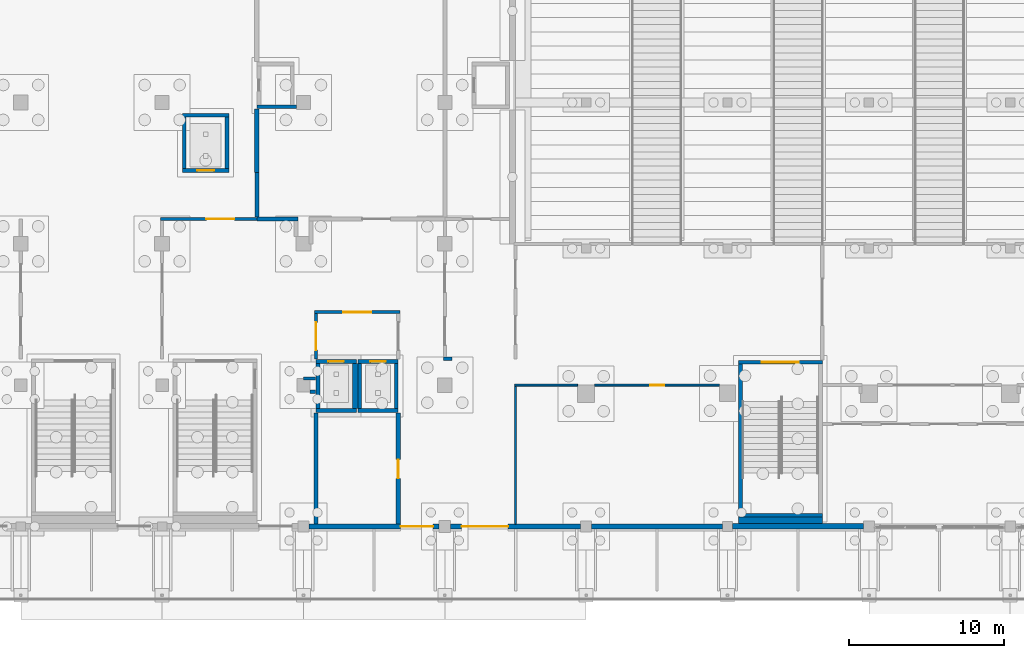
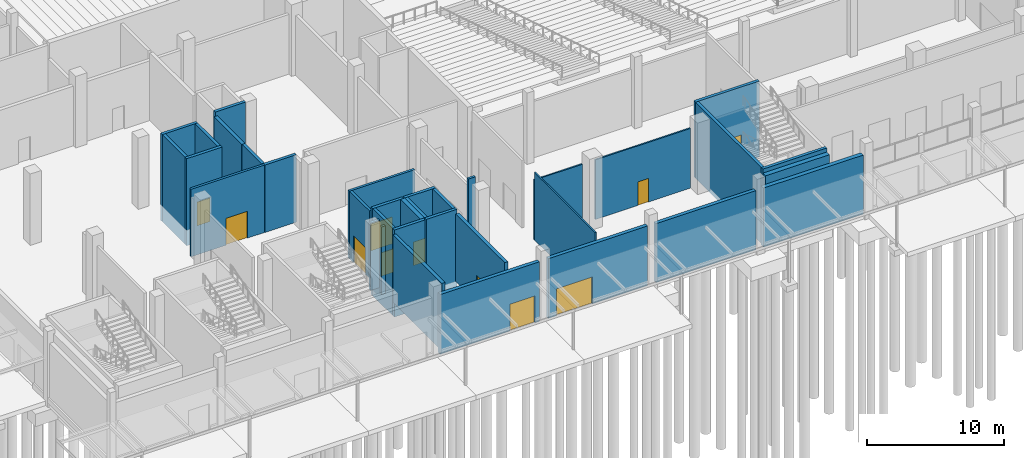
# One storey, part 68 of 129: 35 walls, 11 doors, 11 openings.
"""IFC4 building model written with IfcOpenShell, lengths in metres."""

from ifc_helpers import new_model, si_unit, direction, frame, frame_2d, origin, place, context, subcontext, project, spatial, rectangle, extrude, material, layer, layer_set, type_object, element, fill, save


model = new_model("IFC4")

# Units and contexts
model_context = context("Model", 3, precision=1e-05, world=origin(), true_north=direction((0.0, 1.0)))
body_context = subcontext(model_context, "Body", "Model", "MODEL_VIEW")
ifc_project = project(units=[si_unit("LENGTHUNIT", "METRE"), si_unit("AREAUNIT", "SQUARE_METRE"), si_unit("VOLUMEUNIT", "CUBIC_METRE"), si_unit("PLANEANGLEUNIT", "RADIAN"), si_unit("MASSUNIT", "GRAM", prefix="KILO")], contexts=[model_context])

# Site, building, storey
site_placement = place(None, origin())
site = spatial("IfcSite", under=ifc_project, at=site_placement, CompositionType="ELEMENT")
building_placement = place(site_placement, origin())
building = spatial("IfcBuilding", under=site, at=building_placement, Name="Shirokan Park Arena", CompositionType="ELEMENT")
storey_placement = place(building_placement, origin())
storey = spatial("IfcBuildingStorey", under=building, at=storey_placement, Name="L00", CompositionType="ELEMENT", Elevation=0.0)

# Wall, opening, door
ifc_material_1 = material(Name="Board-formed concrete C40/50", Category="concrete")
ifc_layer_1 = layer(ifc_material_1, 0.1201171875, Name="Board-formed concrete C40/50")
ifc_material_2 = material(Name="Mineral wool insulation")
ifc_layer_2 = layer(ifc_material_2, 0.10009765625, Name="Mineral wool insulation")
ifc_material_3 = material(Name="Concrete C35", Category="concrete")
ifc_layer_3 = layer(ifc_material_3, 0.080078125, Name="Concrete C35")
ifc_layer_set_1 = layer_set([ifc_layer_1, ifc_layer_2, ifc_layer_3], Name="Board-formed concrete C40/50 + Mineral wool insulation + Concrete C35")
wall_type_1 = type_object("IfcWallType", Name="Board-formed concrete base wall 300", PredefinedType="SOLIDWALL", material=ifc_layer_set_1)
wall_1_placement = place(storey_placement, frame((27.64990234375, 0.0, 0.0), z_axis=(0.0, 0.0, 1.0), x_axis=(1.0, 0.0, 0.0)))
wall_1 = element("IfcWall", 1, at=wall_1_placement, inside=storey, type_object=wall_type_1, Name="South facade wall bay 4 L00", PredefinedType="SOLIDWALL", context=body_context, shape_type="SweptSolid", body=[
    extrude(rectangle(XDim=8.375, YDim=0.300048828125, at=frame_2d((4.1875, 0.0))), origin(), (0.0, 0.0, 1.0), 5.320068359375),
])
opening_1_placement = place(wall_1_placement, frame((5.89990234375, 0.0, 0.0)))
opening_1 = element("IfcOpeningElement", 2, at=opening_1_placement, cuts=wall_1, Name="Opening G3", PredefinedType="OPENING", context=body_context, shape_type="SweptSolid", body=[
    extrude(rectangle(XDim=2.10009765625, YDim=2.39990234375, at=frame_2d((1.050048828125, 1.199951171875))), frame((0.0, 0.159912109375, 0.0), z_axis=(0.0, -1.0, 0.0), x_axis=(1.0, 0.0, 0.0)), (0.0, 0.0, 1.0), 0.320068359375),
])
ifc_material_4 = material(Name="Steel and glass door", Category="steel")
door_type_1 = type_object("IfcDoorType", Name="Exit door pair 2100x2400", OperationType="DOUBLE_DOOR_SINGLE_SWING", PredefinedType="DOOR", material=ifc_material_4)
door_1_placement = place(opening_1_placement, frame((2.10009765625, 0.0, 0.0), z_axis=(0.0, 0.0, 1.0), x_axis=(-1.0, 0.0, 0.0)))
door_1 = element("IfcDoor", 3, at=door_1_placement, inside=storey, type_object=door_type_1, Name="Pedestrian exit gate G3", OperationType="DOUBLE_DOOR_SINGLE_SWING", OverallHeight=2.39990234375, OverallWidth=2.10009765625, PredefinedType="DOOR", context=body_context, shape_type="SweptSolid", body=[
    extrude(rectangle(XDim=2.10009765625, YDim=2.39990234375, at=frame_2d((1.050048828125, 1.199951171875))), frame((0.0, 0.02490234375, 0.0), z_axis=(0.0, -1.0, 0.0), x_axis=(1.0, 0.0, 0.0)), (0.0, 0.0, 1.0), 0.050048828125),
])
fill(opening_1, door_1)

wall_2_placement = place(storey_placement, frame((36.77490234375, 0.0, 0.0), z_axis=(0.0, 0.0, 1.0), x_axis=(1.0, 0.0, 0.0)))
wall_2 = element("IfcWall", 4, at=wall_2_placement, inside=storey, type_object=wall_type_1, Name="South facade wall bay 5 L00", PredefinedType="SOLIDWALL", context=body_context, shape_type="SweptSolid", body=[
    extrude(rectangle(XDim=8.375, YDim=0.300048828125, at=frame_2d((4.1875, 0.0))), origin(), (0.0, 0.0, 1.0), 5.320068359375),
])
opening_2_placement = place(wall_2_placement, frame((0.699951171875, 0.0, 0.0)))
opening_2 = element("IfcOpeningElement", 5, at=opening_2_placement, cuts=wall_2, Name="Opening G4", PredefinedType="OPENING", context=body_context, shape_type="SweptSolid", body=[
    extrude(rectangle(XDim=3.0, YDim=2.39990234375, at=frame_2d((1.5, 1.199951171875))), frame((0.0, 0.159912109375, 0.0), z_axis=(0.0, -1.0, 0.0), x_axis=(1.0, 0.0, 0.0)), (0.0, 0.0, 1.0), 0.320068359375),
])
door_type_2 = type_object("IfcDoorType", Name="Exit door pair 3000x2400", OperationType="DOUBLE_DOOR_SINGLE_SWING", PredefinedType="DOOR", material=ifc_material_4)
door_2_placement = place(opening_2_placement, frame((3.0, 0.0, 0.0), z_axis=(0.0, 0.0, 1.0), x_axis=(-1.0, 0.0, 0.0)))
door_2 = element("IfcDoor", 6, at=door_2_placement, inside=storey, type_object=door_type_2, Name="Pedestrian exit gate G4", OperationType="DOUBLE_DOOR_SINGLE_SWING", OverallHeight=2.39990234375, OverallWidth=3.0, PredefinedType="DOOR", context=body_context, shape_type="SweptSolid", body=[
    extrude(rectangle(XDim=3.0, YDim=2.39990234375, at=frame_2d((1.5, 1.199951171875))), frame((0.0, 0.02490234375, 0.0), z_axis=(0.0, -1.0, 0.0), x_axis=(1.0, 0.0, 0.0)), (0.0, 0.0, 1.0), 0.050048828125),
])
fill(opening_2, door_2)

# Walls
wall_3_placement = place(storey_placement, frame((45.85009765625, 0.0, 0.0), z_axis=(0.0, 0.0, 1.0), x_axis=(1.0, 0.0, 0.0)))
element("IfcWall", 7, at=wall_3_placement, inside=storey, type_object=wall_type_1, Name="South facade wall bay 6 L00", PredefinedType="SOLIDWALL", context=body_context, shape_type="SweptSolid", body=[
    extrude(rectangle(XDim=8.4248046875, YDim=0.300048828125, at=frame_2d((4.21240234375, 0.0))), origin(), (0.0, 0.0, 1.0), 5.27001953125),
])
ifc_material_5 = material(Name="Plaster")
ifc_layer_4 = layer(ifc_material_5, 0.014892578125, Name="Plaster")
ifc_material_6 = material(Name="Concrete blockwork", Category="masonry")
ifc_layer_5 = layer(ifc_material_6, 0.219970703125, Name="Concrete blockwork 220")
ifc_layer_6 = layer(ifc_material_5, 0.014892578125, Name="Plaster")
ifc_layer_set_2 = layer_set([ifc_layer_4, ifc_layer_5, ifc_layer_6], Name="Plaster + Concrete blockwork 220")
wall_type_2 = type_object("IfcWallType", Name="Compartment wall 250", PredefinedType="SOLIDWALL", material=ifc_layer_set_2)
wall_4_placement = place(storey_placement, frame((24.300048828125, 19.800048828125, 0.0), z_axis=(0.0, 0.0, 1.0), x_axis=(1.0, 0.0, 0.0)))
element("IfcWall", 8, at=wall_4_placement, inside=storey, type_object=wall_type_2, Name="Compartment wall 250 L00", PredefinedType="SOLIDWALL", context=body_context, shape_type="SweptSolid", body=[
    extrude(rectangle(XDim=2.64990234375, YDim=0.25, at=frame_2d((1.324951171875, 0.0))), origin(), (0.0, 0.0, 1.0), 6.02001953125),
])
wall_5_placement = place(storey_placement, frame((24.300048828125, 22.800048828125, 0.0), z_axis=(0.0, 0.0, 1.0), x_axis=(0.0, -1.0, 0.0)))
element("IfcWall", 9, at=wall_5_placement, inside=storey, type_object=wall_type_2, Name="Compartment wall 250 L00", PredefinedType="SOLIDWALL", context=body_context, shape_type="SweptSolid", body=[
    extrude(rectangle(XDim=2.875, YDim=0.25, at=frame_2d((1.4375, 0.0))), origin(), (0.0, 0.0, 1.0), 6.02001953125),
])

# Wall, opening, door
ifc_material_7 = material(Name="Gypsum board")
ifc_layer_7 = layer(ifc_material_7, 0.02490234375, Name="Gypsum board, two layers")
ifc_layer_8 = layer(ifc_material_2, 0.14990234375, Name="Mineral wool insulation")
ifc_layer_9 = layer(ifc_material_7, 0.02490234375, Name="Gypsum board, two layers")
ifc_layer_set_3 = layer_set([ifc_layer_7, ifc_layer_8, ifc_layer_9], Name="Gypsum board, two layers + Mineral wool insulation")
wall_type_3 = type_object("IfcWallType", Name="Corridor wall 200", PredefinedType="PARTITIONING", material=ifc_layer_set_3)
wall_6_placement = place(storey_placement, frame((18.10009765625, 19.800048828125, 0.0), z_axis=(0.0, 0.0, 1.0), x_axis=(1.0, 0.0, 0.0)))
wall_6 = element("IfcWall", 10, at=wall_6_placement, inside=storey, type_object=wall_type_3, Name="Corridor wall 200 L00", PredefinedType="PARTITIONING", context=body_context, shape_type="SweptSolid", body=[
    extrude(rectangle(XDim=6.199951171875, YDim=0.199951171875, at=frame_2d((3.10009765625, 0.0))), origin(), (0.0, 0.0, 1.0), 6.02001953125),
])
opening_3_placement = place(wall_6_placement, frame((2.949951171875, 0.0, 0.0)))
opening_3 = element("IfcOpeningElement", 11, at=opening_3_placement, cuts=wall_6, Name="Opening D-0047", PredefinedType="OPENING", context=body_context, shape_type="SweptSolid", body=[
    extrude(rectangle(XDim=1.800048828125, YDim=2.39990234375, at=frame_2d((0.89990234375, 1.199951171875))), frame((0.0, 0.10986328125, 0.0), z_axis=(0.0, -1.0, 0.0), x_axis=(1.0, 0.0, 0.0)), (0.0, 0.0, 1.0), 0.219970703125),
])
ifc_material_8 = material(Name="Glazed steel door set, fire resisting", Category="steel")
door_type_3 = type_object("IfcDoorType", Name="Lift lobby door 1800 x 2400", OperationType="DOUBLE_DOOR_SINGLE_SWING", PredefinedType="DOOR", material=ifc_material_8)
door_3_placement = place(opening_3_placement, origin())
door_3 = element("IfcDoor", 12, at=door_3_placement, inside=storey, type_object=door_type_3, Name="Door between Staff Lobby 1.0.3 and Goods Lift Lobby 1 D-0047", OperationType="DOUBLE_DOOR_SINGLE_SWING", OverallHeight=2.39990234375, OverallWidth=1.800048828125, PredefinedType="DOOR", context=body_context, shape_type="SweptSolid", body=[
    extrude(rectangle(XDim=1.800048828125, YDim=2.39990234375, at=frame_2d((0.89990234375, 1.199951171875))), frame((0.0, 0.02490234375, 0.0), z_axis=(0.0, -1.0, 0.0), x_axis=(1.0, 0.0, 0.0)), (0.0, 0.0, 1.0), 0.050048828125),
])
fill(opening_3, door_3)

# Walls
wall_7_placement = place(storey_placement, frame((27.300048828125, 9.52490234375, 0.0), z_axis=(0.0, 0.0, 1.0), x_axis=(1.0, 0.0, 0.0)))
element("IfcWall", 13, at=wall_7_placement, inside=storey, type_object=wall_type_3, Name="Corridor wall 200 L00", PredefinedType="PARTITIONING", context=body_context, shape_type="SweptSolid", body=[
    extrude(rectangle(XDim=0.77001953125, YDim=0.199951171875, at=frame_2d((0.385009765625, 0.0))), origin(), (0.0, 0.0, 1.0), 6.02001953125),
])
wall_8_placement = place(storey_placement, frame((27.72509765625, 8.675048828125, 0.0), z_axis=(0.0, 0.0, 1.0), x_axis=(1.0, 0.0, 0.0)))
element("IfcWall", 14, at=wall_8_placement, inside=storey, type_object=wall_type_3, Name="Corridor wall 200 L00", PredefinedType="PARTITIONING", context=body_context, shape_type="SweptSolid", body=[
    extrude(rectangle(XDim=0.344970703125, YDim=0.199951171875, at=frame_2d((0.17236328125, 0.0))), origin(), (0.0, 0.0, 1.0), 6.02001953125),
])

# Wall, opening, door
wall_9_placement = place(storey_placement, frame((28.10009765625, 13.699951171875, 0.0), z_axis=(0.0, 0.0, 1.0), x_axis=(0.0, -1.0, 0.0)))
wall_9 = element("IfcWall", 15, at=wall_9_placement, inside=storey, type_object=wall_type_3, Name="Corridor wall 200 L00", PredefinedType="PARTITIONING", context=body_context, shape_type="SweptSolid", body=[
    extrude(rectangle(XDim=2.89990234375, YDim=0.199951171875, at=frame_2d((1.449951171875, 0.0))), origin(), (0.0, 0.0, 1.0), 6.02001953125),
])
opening_4_placement = place(wall_9_placement, frame((0.550048828125, 0.0, 0.0)))
opening_4 = element("IfcOpeningElement", 16, at=opening_4_placement, cuts=wall_9, Name="Opening D-0045", PredefinedType="OPENING", context=body_context, shape_type="SweptSolid", body=[
    extrude(rectangle(XDim=1.800048828125, YDim=2.39990234375, at=frame_2d((0.89990234375, 1.199951171875))), frame((0.0, 0.10986328125, 0.0), z_axis=(0.0, -1.0, 0.0), x_axis=(1.0, 0.0, 0.0)), (0.0, 0.0, 1.0), 0.219970703125),
])
door_4_placement = place(opening_4_placement, origin())
door_4 = element("IfcDoor", 17, at=door_4_placement, inside=storey, type_object=door_type_3, Name="Door between Staff Lobby 1.0.3 and Lift Lobby 1.0 D-0045", OperationType="DOUBLE_DOOR_SINGLE_SWING", OverallHeight=2.39990234375, OverallWidth=1.800048828125, PredefinedType="DOOR", context=body_context, shape_type="SweptSolid", body=[
    extrude(rectangle(XDim=1.800048828125, YDim=2.39990234375, at=frame_2d((0.89990234375, 1.199951171875))), frame((0.0, 0.02490234375, 0.0), z_axis=(0.0, -1.0, 0.0), x_axis=(1.0, 0.0, 0.0)), (0.0, 0.0, 1.0), 0.050048828125),
])
fill(opening_4, door_4)

wall_10_placement = place(storey_placement, frame((33.5, 13.800048828125, 0.0), z_axis=(0.0, 0.0, 1.0), x_axis=(-1.0, 0.0, 0.0)))
wall_10 = element("IfcWall", 18, at=wall_10_placement, inside=storey, type_object=wall_type_3, Name="Corridor wall 200 L00", PredefinedType="PARTITIONING", context=body_context, shape_type="SweptSolid", body=[
    extrude(rectangle(XDim=5.5, YDim=0.199951171875, at=frame_2d((2.75, 0.0))), origin(), (0.0, 0.0, 1.0), 6.02001953125),
])
opening_5_placement = place(wall_10_placement, frame((1.85009765625, 0.0, 0.0)))
opening_5 = element("IfcOpeningElement", 19, at=opening_5_placement, cuts=wall_10, Name="Opening D-0044", PredefinedType="OPENING", context=body_context, shape_type="SweptSolid", body=[
    extrude(rectangle(XDim=1.800048828125, YDim=2.39990234375, at=frame_2d((0.89990234375, 1.199951171875))), frame((0.0, 0.10986328125, 0.0), z_axis=(0.0, -1.0, 0.0), x_axis=(1.0, 0.0, 0.0)), (0.0, 0.0, 1.0), 0.219970703125),
])
door_5_placement = place(opening_5_placement, origin())
door_5 = element("IfcDoor", 20, at=door_5_placement, inside=storey, type_object=door_type_3, Name="Door between Staff Lobby 1.0.3 and Lift Lobby 1.0 D-0044", OperationType="DOUBLE_DOOR_SINGLE_SWING", OverallHeight=2.39990234375, OverallWidth=1.800048828125, PredefinedType="DOOR", context=body_context, shape_type="SweptSolid", body=[
    extrude(rectangle(XDim=1.800048828125, YDim=2.39990234375, at=frame_2d((0.89990234375, 1.199951171875))), frame((0.0, 0.02490234375, 0.0), z_axis=(0.0, -1.0, 0.0), x_axis=(1.0, 0.0, 0.0)), (0.0, 0.0, 1.0), 0.050048828125),
])
fill(opening_5, door_5)

# Walls
wall_11_placement = place(storey_placement, frame((36.300048828125, 10.800048828125, 0.0), z_axis=(0.0, 0.0, 1.0), x_axis=(1.0, 0.0, 0.0)))
element("IfcWall", 21, at=wall_11_placement, inside=storey, type_object=wall_type_3, Name="Corridor wall 200 L00", PredefinedType="PARTITIONING", context=body_context, shape_type="SweptSolid", body=[
    extrude(rectangle(XDim=0.574951171875, YDim=0.199951171875, at=frame_2d((0.28759765625, 0.0))), origin(), (0.0, 0.0, 1.0), 6.02001953125),
])
ifc_material_9 = material(Name="Concrete C30 precast panel", Category="concrete")
ifc_layer_10 = layer(ifc_material_9, 0.300048828125, Name="Concrete C30 precast panel")
ifc_layer_set_4 = layer_set([ifc_layer_10], Name="Concrete C30 precast panel")
wall_type_4 = type_object("IfcWallType", Name="Dock wall 300", PredefinedType="SOLIDWALL", material=ifc_layer_set_4)
wall_12_placement = place(storey_placement, frame((24.300048828125, 26.8701171875, 0.0), z_axis=(0.0, 0.0, 1.0), x_axis=(0.0, -1.0, 0.0)))
element("IfcWall", 22, at=wall_12_placement, inside=storey, type_object=wall_type_4, Name="Dock wall 300 L00", PredefinedType="SOLIDWALL", context=body_context, shape_type="SweptSolid", body=[
    extrude(rectangle(XDim=4.070068359375, YDim=0.300048828125, at=frame_2d((2.03515625, 0.0))), origin(), (0.0, 0.0, 1.0), 6.02001953125),
])
ifc_material_10 = material(Name="Cedar cladding")
ifc_layer_11 = layer(ifc_material_10, 0.030029296875, Name="Cedar cladding")
ifc_layer_12 = layer(ifc_material_2, 0.10009765625, Name="Mineral wool insulation")
ifc_layer_13 = layer(ifc_material_3, 0.199951171875, Name="Concrete C35")
ifc_material_11 = material(Name="Gypsum board lining")
ifc_layer_14 = layer(ifc_material_11, 0.02001953125, Name="Gypsum board lining")
ifc_layer_set_5 = layer_set([ifc_layer_11, ifc_layer_12, ifc_layer_13, ifc_layer_14], Name="Cedar cladding + Mineral wool insulation + Concrete C35 + Gypsum board lining")
wall_type_5 = type_object("IfcWallType", Name="Insulated tower wall 350", PredefinedType="SOLIDWALL", material=ifc_layer_set_5)
wall_13_placement = place(storey_placement, frame((54.925048828125, 0.02490234375, 0.0), z_axis=(0.0, 0.0, 1.0), x_axis=(1.0, 0.0, 0.0)))
element("IfcWall", 23, at=wall_13_placement, inside=storey, type_object=wall_type_5, Name="South facade wall bay 7 L00", PredefinedType="SOLIDWALL", context=body_context, shape_type="SweptSolid", body=[
    extrude(rectangle(XDim=8.425048828125, YDim=0.35009765625, at=frame_2d((4.21240234375, 0.0))), origin(), (0.0, 0.0, 1.0), 5.27001953125),
])
ifc_layer_15 = layer(ifc_material_5, 0.012451171875, Name="Plaster")
ifc_layer_16 = layer(ifc_material_6, 0.25, Name="Concrete blockwork 250")
ifc_layer_17 = layer(ifc_material_5, 0.012451171875, Name="Plaster")
ifc_layer_set_6 = layer_set([ifc_layer_15, ifc_layer_16, ifc_layer_17], Name="Plaster + Concrete blockwork 250")
wall_type_6 = type_object("IfcWallType", Name="Plant room wall 275", PredefinedType="SOLIDWALL", material=ifc_layer_set_6)
wall_14_placement = place(storey_placement, frame((28.10009765625, 0.14990234375, 0.0), z_axis=(0.0, 0.0, 1.0), x_axis=(0.0, 1.0, 0.0)))
element("IfcWall", 24, at=wall_14_placement, inside=storey, type_object=wall_type_6, Name="Plant room wall 275 L00", PredefinedType="SOLIDWALL", context=body_context, shape_type="SweptSolid", body=[
    extrude(rectangle(XDim=7.170166015625, YDim=0.27490234375, at=frame_2d((3.5849609375, 0.0))), origin(), (0.0, 0.0, 1.0), 6.02001953125),
])

# Wall, opening, door
wall_15_placement = place(storey_placement, frame((33.39990234375, 0.14990234375, 0.0), z_axis=(0.0, 0.0, 1.0), x_axis=(0.0, 1.0, 0.0)))
wall_15 = element("IfcWall", 25, at=wall_15_placement, inside=storey, type_object=wall_type_6, Name="Plant room wall 275 L00", PredefinedType="SOLIDWALL", context=body_context, shape_type="SweptSolid", body=[
    extrude(rectangle(XDim=7.170166015625, YDim=0.27490234375, at=frame_2d((3.5849609375, 0.0))), origin(), (0.0, 0.0, 1.0), 6.02001953125),
])
opening_6_placement = place(wall_15_placement, frame((2.949951171875, 0.0, 0.0)))
opening_6 = element("IfcOpeningElement", 26, at=opening_6_placement, cuts=wall_15, Name="Opening D-0003", PredefinedType="OPENING", context=body_context, shape_type="SweptSolid", body=[
    extrude(rectangle(XDim=1.199951171875, YDim=2.39990234375, at=frame_2d((0.60009765625, 1.199951171875))), frame((0.0, 0.1474609375, 0.0), z_axis=(0.0, -1.0, 0.0), x_axis=(1.0, 0.0, 0.0)), (0.0, 0.0, 1.0), 0.294921875),
])
ifc_material_12 = material(Name="Louvred steel door set, fire resisting", Category="steel")
door_type_4 = type_object("IfcDoorType", Name="Plant room door 1200 x 2400", OperationType="SINGLE_SWING_LEFT", PredefinedType="DOOR", material=ifc_material_12)
door_6_placement = place(opening_6_placement, origin())
door_6 = element("IfcDoor", 27, at=door_6_placement, inside=storey, type_object=door_type_4, Name="Door to Lift Machine Room 1.0 D-0003", OperationType="SINGLE_SWING_RIGHT", OverallHeight=2.39990234375, OverallWidth=1.199951171875, PredefinedType="DOOR", context=body_context, shape_type="SweptSolid", body=[
    extrude(rectangle(XDim=1.199951171875, YDim=2.39990234375, at=frame_2d((0.60009765625, 1.199951171875))), frame((0.0, 0.02490234375, 0.0), z_axis=(0.0, -1.0, 0.0), x_axis=(1.0, 0.0, 0.0)), (0.0, 0.0, 1.0), 0.050048828125),
])
fill(opening_6, door_6)

# Wall
ifc_material_13 = material(Name="Concrete C40/50", Category="concrete")
ifc_layer_18 = layer(ifc_material_13, 0.25)
ifc_layer_set_7 = layer_set([ifc_layer_18], Name="Concrete C40/50 250 mm")
wall_type_7 = type_object("IfcWallType", Name="RC shear wall 250", PredefinedType="SHEAR", material=ifc_layer_set_7)
wall_16_placement = place(storey_placement, frame((30.699951171875, 7.47509765625, -1.39990234375), z_axis=(0.0, 0.0, 1.0), x_axis=(-1.0, 0.0, 0.0)))
element("IfcWall", 28, at=wall_16_placement, inside=storey, type_object=wall_type_7, Name="Shaft wall Passenger Lift 1.1 S L00", PredefinedType="SHEAR", context=body_context, shape_type="SweptSolid", body=[
    extrude(rectangle(XDim=2.599853515625, YDim=0.25, at=frame_2d((1.2998046875, 0.0))), origin(), (0.0, 0.0, 1.0), 7.77001953125),
])

# Wall, opening, door
wall_17_placement = place(storey_placement, frame((30.699951171875, 10.625, -1.39990234375), z_axis=(0.0, 0.0, 1.0), x_axis=(-1.0, 0.0, 0.0)))
wall_17 = element("IfcWall", 29, at=wall_17_placement, inside=storey, type_object=wall_type_7, Name="Shaft wall Passenger Lift 1.1 N L00", PredefinedType="SHEAR", context=body_context, shape_type="SweptSolid", body=[
    extrude(rectangle(XDim=2.599853515625, YDim=0.25, at=frame_2d((1.2998046875, 0.0))), origin(), (0.0, 0.0, 1.0), 7.77001953125),
])
opening_7_placement = place(wall_17_placement, frame((0.800048828125, 0.0, 1.39990234375)))
opening_7 = element("IfcOpeningElement", 30, at=opening_7_placement, cuts=wall_17, Name="Opening LD01", PredefinedType="OPENING", context=body_context, shape_type="SweptSolid", body=[
    extrude(rectangle(XDim=1.0, YDim=2.10009765625, at=frame_2d((0.5, 1.050048828125))), frame((0.0, 0.135009765625, 0.0), z_axis=(0.0, -1.0, 0.0), x_axis=(1.0, 0.0, 0.0)), (0.0, 0.0, 1.0), 0.27001953125),
])
ifc_material_14 = material(Name="Stainless steel", Category="steel")
door_type_5 = type_object("IfcDoorType", Name="Lift landing door 1000x2100", OperationType="DOUBLE_DOOR_SLIDING", PredefinedType="DOOR", material=ifc_material_14)
door_7_placement = place(opening_7_placement, origin())
door_7 = element("IfcDoor", 31, at=door_7_placement, inside=storey, type_object=door_type_5, Name="Lift landing door Passenger Lift 1.1 L00", OperationType="DOUBLE_DOOR_SLIDING", OverallHeight=2.10009765625, OverallWidth=1.0, PredefinedType="DOOR", context=body_context, shape_type="SweptSolid", body=[
    extrude(rectangle(XDim=1.0, YDim=2.10009765625, at=frame_2d((0.5, 1.050048828125))), frame((0.0, 0.02490234375, 0.0), z_axis=(0.0, -1.0, 0.0), x_axis=(1.0, 0.0, 0.0)), (0.0, 0.0, 1.0), 0.050048828125),
])
fill(opening_7, door_7)

# Walls
wall_18_placement = place(storey_placement, frame((28.22509765625, 10.5, -1.39990234375), z_axis=(0.0, 0.0, 1.0), x_axis=(0.0, -1.0, 0.0)))
element("IfcWall", 32, at=wall_18_placement, inside=storey, type_object=wall_type_7, Name="Shaft wall Passenger Lift 1.1 W L00", PredefinedType="SHEAR", context=body_context, shape_type="SweptSolid", body=[
    extrude(rectangle(XDim=2.89990234375, YDim=0.25, at=frame_2d((1.449951171875, 0.0))), origin(), (0.0, 0.0, 1.0), 7.77001953125),
])
wall_19_placement = place(storey_placement, frame((33.39990234375, 7.47509765625, -1.39990234375), z_axis=(0.0, 0.0, 1.0), x_axis=(-1.0, 0.0, 0.0)))
element("IfcWall", 33, at=wall_19_placement, inside=storey, type_object=wall_type_7, Name="Shaft wall Passenger Lift 1.2 S L00", PredefinedType="SHEAR", context=body_context, shape_type="SweptSolid", body=[
    extrude(rectangle(XDim=2.599853515625, YDim=0.25, at=frame_2d((1.2998046875, 0.0))), origin(), (0.0, 0.0, 1.0), 7.77001953125),
])

# Wall, opening, door
wall_20_placement = place(storey_placement, frame((33.39990234375, 10.625, -1.39990234375), z_axis=(0.0, 0.0, 1.0), x_axis=(-1.0, 0.0, 0.0)))
wall_20 = element("IfcWall", 34, at=wall_20_placement, inside=storey, type_object=wall_type_7, Name="Shaft wall Passenger Lift 1.2 N L00", PredefinedType="SHEAR", context=body_context, shape_type="SweptSolid", body=[
    extrude(rectangle(XDim=2.599853515625, YDim=0.25, at=frame_2d((1.2998046875, 0.0))), origin(), (0.0, 0.0, 1.0), 7.77001953125),
])
opening_8_placement = place(wall_20_placement, frame((0.800048828125, 0.0, 1.39990234375)))
opening_8 = element("IfcOpeningElement", 35, at=opening_8_placement, cuts=wall_20, Name="Opening LD07", PredefinedType="OPENING", context=body_context, shape_type="SweptSolid", body=[
    extrude(rectangle(XDim=1.0, YDim=2.10009765625, at=frame_2d((0.5, 1.050048828125))), frame((0.0, 0.135009765625, 0.0), z_axis=(0.0, -1.0, 0.0), x_axis=(1.0, 0.0, 0.0)), (0.0, 0.0, 1.0), 0.27001953125),
])
door_8_placement = place(opening_8_placement, origin())
door_8 = element("IfcDoor", 36, at=door_8_placement, inside=storey, type_object=door_type_5, Name="Lift landing door Passenger Lift 1.2 L00", OperationType="DOUBLE_DOOR_SLIDING", OverallHeight=2.10009765625, OverallWidth=1.0, PredefinedType="DOOR", context=body_context, shape_type="SweptSolid", body=[
    extrude(rectangle(XDim=1.0, YDim=2.10009765625, at=frame_2d((0.5, 1.050048828125))), frame((0.0, 0.02490234375, 0.0), z_axis=(0.0, -1.0, 0.0), x_axis=(1.0, 0.0, 0.0)), (0.0, 0.0, 1.0), 0.050048828125),
])
fill(opening_8, door_8)

# Walls
for number, where, z_axis, x_axis, name in (
    (37, (30.925048828125, 10.5, -1.39990234375), (0.0, 0.0, 1.0), (0.0, -1.0, 0.0), "Shaft wall Passenger Lift 1.2 W L00"),
    (38, (33.27490234375, 10.5, -1.39990234375), (0.0, 0.0, 1.0), (0.0, -1.0, 0.0), "Shaft wall Passenger Lift 1.2 E L00"),
):
    element("IfcWall", number, at=place(storey_placement, frame(where, z_axis=z_axis, x_axis=x_axis)), inside=storey, type_object=wall_type_7, Name=name, PredefinedType="SHEAR", context=body_context, shape_type="SweptSolid", body=[
        extrude(rectangle(XDim=2.89990234375, YDim=0.25, at=frame_2d((1.449951171875, 0.0))), origin(), (0.0, 0.0, 1.0), 7.77001953125),
    ])
wall_21_placement = place(storey_placement, frame((26.85009765625, 27.02490234375, -0.39990234375), z_axis=(0.0, 0.0, 1.0), x_axis=(-1.0, 0.0, 0.0)))
element("IfcWall", 39, at=wall_21_placement, inside=storey, type_object=wall_type_7, Name="Shaft wall Services Riser 1.2 S L00", PredefinedType="SHEAR", context=body_context, shape_type="SweptSolid", body=[
    extrude(rectangle(XDim=2.550048828125, YDim=0.25, at=frame_2d((1.27490234375, 0.0))), origin(), (0.0, 0.0, 1.0), 6.77001953125),
])

# Wall, opening, door
wall_22_placement = place(storey_placement, frame((22.5, 22.925048828125, -1.39990234375), z_axis=(0.0, 0.0, 1.0), x_axis=(-1.0, 0.0, 0.0)))
wall_22 = element("IfcWall", 40, at=wall_22_placement, inside=storey, type_object=wall_type_7, Name="Shaft wall Service Lift 1 S L00", PredefinedType="SHEAR", context=body_context, shape_type="SweptSolid", body=[
    extrude(rectangle(XDim=3.0, YDim=0.25, at=frame_2d((1.5, 0.0))), origin(), (0.0, 0.0, 1.0), 7.77001953125),
])
opening_9_placement = place(wall_22_placement, frame((0.949951171875, 0.0, 1.39990234375)))
opening_9 = element("IfcOpeningElement", 41, at=opening_9_placement, cuts=wall_22, Name="Opening LD49", PredefinedType="OPENING", context=body_context, shape_type="SweptSolid", body=[
    extrude(rectangle(XDim=1.10009765625, YDim=2.10009765625, at=frame_2d((0.550048828125, 1.050048828125))), frame((0.0, 0.135009765625, 0.0), z_axis=(0.0, -1.0, 0.0), x_axis=(1.0, 0.0, 0.0)), (0.0, 0.0, 1.0), 0.27001953125),
])
door_type_6 = type_object("IfcDoorType", Name="Lift landing door 1100x2100", OperationType="DOUBLE_DOOR_SLIDING", PredefinedType="DOOR", material=ifc_material_14)
door_9_placement = place(opening_9_placement, origin())
door_9 = element("IfcDoor", 42, at=door_9_placement, inside=storey, type_object=door_type_6, Name="Lift landing door Service Lift 1 L00", OperationType="DOUBLE_DOOR_SLIDING", OverallHeight=2.10009765625, OverallWidth=1.10009765625, PredefinedType="DOOR", context=body_context, shape_type="SweptSolid", body=[
    extrude(rectangle(XDim=1.10009765625, YDim=2.10009765625, at=frame_2d((0.550048828125, 1.050048828125))), frame((0.0, 0.02490234375, 0.0), z_axis=(0.0, -1.0, 0.0), x_axis=(1.0, 0.0, 0.0)), (0.0, 0.0, 1.0), 0.050048828125),
])
fill(opening_9, door_9)

# Walls
wall_23_placement = place(storey_placement, frame((22.5, 26.47509765625, -1.39990234375), z_axis=(0.0, 0.0, 1.0), x_axis=(-1.0, 0.0, 0.0)))
element("IfcWall", 43, at=wall_23_placement, inside=storey, type_object=wall_type_7, Name="Shaft wall Service Lift 1 N L00", PredefinedType="SHEAR", context=body_context, shape_type="SweptSolid", body=[
    extrude(rectangle(XDim=3.0, YDim=0.25, at=frame_2d((1.5, 0.0))), origin(), (0.0, 0.0, 1.0), 7.77001953125),
])
for number, where, z_axis, x_axis, name in (
    (44, (19.625, 26.35009765625, -1.39990234375), (0.0, 0.0, 1.0), (0.0, -1.0, 0.0), "Shaft wall Service Lift 1 W L00"),
    (45, (22.375, 26.35009765625, -1.39990234375), (0.0, 0.0, 1.0), (0.0, -1.0, 0.0), "Shaft wall Service Lift 1 E L00"),
):
    element("IfcWall", number, at=place(storey_placement, frame(where, z_axis=z_axis, x_axis=x_axis)), inside=storey, type_object=wall_type_7, Name=name, PredefinedType="SHEAR", context=body_context, shape_type="SweptSolid", body=[
        extrude(rectangle(XDim=3.300048828125, YDim=0.25, at=frame_2d((1.64990234375, 0.0))), origin(), (0.0, 0.0, 1.0), 7.77001953125),
    ])
wall_24_placement = place(storey_placement, frame((60.699951171875, 0.72509765625, -0.39990234375), z_axis=(0.0, 0.0, 1.0), x_axis=(-1.0, 0.0, 0.0)))
element("IfcWall", 46, at=wall_24_placement, inside=storey, type_object=wall_type_7, Name="Shaft wall Entrance Stair E1.1 S L00", PredefinedType="SHEAR", context=body_context, shape_type="SweptSolid", body=[
    extrude(rectangle(XDim=5.39990234375, YDim=0.25, at=frame_2d((2.699951171875, 0.0))), origin(), (0.0, 0.0, 1.0), 6.77001953125),
])

# Wall, opening, door
wall_25_placement = place(storey_placement, frame((60.699951171875, 10.574951171875, -0.39990234375), z_axis=(0.0, 0.0, 1.0), x_axis=(-1.0, 0.0, 0.0)))
wall_25 = element("IfcWall", 47, at=wall_25_placement, inside=storey, type_object=wall_type_7, Name="Shaft wall Entrance Stair E1.1 N L00", PredefinedType="SHEAR", context=body_context, shape_type="SweptSolid", body=[
    extrude(rectangle(XDim=5.39990234375, YDim=0.25, at=frame_2d((2.699951171875, 0.0))), origin(), (0.0, 0.0, 1.0), 6.77001953125),
])
opening_10_placement = place(wall_25_placement, frame((1.5, 0.0, 0.39990234375)))
opening_10 = element("IfcOpeningElement", 48, at=opening_10_placement, cuts=wall_25, Name="Opening D-0196", PredefinedType="OPENING", context=body_context, shape_type="SweptSolid", body=[
    extrude(rectangle(XDim=2.39990234375, YDim=2.10009765625, at=frame_2d((1.199951171875, 1.050048828125))), frame((0.0, 0.135009765625, 0.0), z_axis=(0.0, -1.0, 0.0), x_axis=(1.0, 0.0, 0.0)), (0.0, 0.0, 1.0), 0.27001953125),
])
ifc_material_15 = material(Name="Steel door set, fire resisting", Category="steel")
door_type_7 = type_object("IfcDoorType", Name="Stair door 2400 x 2100", OperationType="DOUBLE_DOOR_SINGLE_SWING", PredefinedType="DOOR", material=ifc_material_15)
door_10_placement = place(opening_10_placement, origin())
door_10 = element("IfcDoor", 49, at=door_10_placement, inside=storey, type_object=door_type_7, Name="Stair door Entrance Stair E1.1 D-0196", OperationType="DOUBLE_DOOR_SINGLE_SWING", OverallHeight=2.10009765625, OverallWidth=2.39990234375, PredefinedType="DOOR", context=body_context, shape_type="SweptSolid", body=[
    extrude(rectangle(XDim=2.39990234375, YDim=2.10009765625, at=frame_2d((1.199951171875, 1.050048828125))), frame((0.0, 0.02490234375, 0.0), z_axis=(0.0, -1.0, 0.0), x_axis=(1.0, 0.0, 0.0)), (0.0, 0.0, 1.0), 0.050048828125),
])
fill(opening_10, door_10)

# Walls
wall_26_placement = place(storey_placement, frame((55.425048828125, 10.449951171875, -0.39990234375), z_axis=(0.0, 0.0, 1.0), x_axis=(0.0, -1.0, 0.0)))
element("IfcWall", 50, at=wall_26_placement, inside=storey, type_object=wall_type_7, Name="Shaft wall Entrance Stair E1.1 W L00", PredefinedType="SHEAR", context=body_context, shape_type="SweptSolid", body=[
    extrude(rectangle(XDim=9.599853515625, YDim=0.25, at=frame_2d((4.7998046875, 0.0))), origin(), (0.0, 0.0, 1.0), 6.77001953125),
])
ifc_layer_19 = layer(ifc_material_13, 0.35009765625)
ifc_layer_set_8 = layer_set([ifc_layer_19], Name="Concrete C40/50 350 mm")
wall_type_8 = type_object("IfcWallType", Name="RC shear wall 350", PredefinedType="SHEAR", material=ifc_layer_set_8)
wall_27_placement = place(storey_placement, frame((30.625, 10.5, -1.39990234375), z_axis=(0.0, 0.0, 1.0), x_axis=(0.0, -1.0, 0.0)))
element("IfcWall", 51, at=wall_27_placement, inside=storey, type_object=wall_type_8, Name="Shaft wall Passenger Lift 1.1 E L00", PredefinedType="SHEAR", context=body_context, shape_type="SweptSolid", body=[
    extrude(rectangle(XDim=2.89990234375, YDim=0.35009765625, at=frame_2d((1.449951171875, 0.0))), origin(), (0.0, 0.0, 1.0), 7.77001953125),
])
ifc_layer_20 = layer(ifc_material_3, 0.39990234375)
ifc_layer_set_9 = layer_set([ifc_layer_20], Name="Concrete C35 400 mm")
wall_type_9 = type_object("IfcWallType", Name="Shaft infill wall 400", PredefinedType="SOLIDWALL", material=ifc_layer_set_9)
wall_28_placement = place(storey_placement, frame((55.300048828125, 0.39990234375, 0.0), z_axis=(0.0, 0.0, 1.0), x_axis=(1.0, 0.0, 0.0)))
element("IfcWall", 52, at=wall_28_placement, inside=storey, type_object=wall_type_9, Name="Shaft infill wall L00", PredefinedType="SOLIDWALL", context=body_context, shape_type="SweptSolid", body=[
    extrude(rectangle(XDim=5.39990234375, YDim=0.39990234375, at=frame_2d((2.699951171875, 0.0))), origin(), (0.0, 0.0, 1.0), 6.02001953125),
])
ifc_material_16 = material(Name="Ceramic tile")
ifc_layer_21 = layer(ifc_material_16, 0.010009765625, Name="Ceramic tile")
ifc_material_17 = material(Name="Cement board")
ifc_layer_22 = layer(ifc_material_17, 0.012451171875, Name="Cement board")
ifc_layer_23 = layer(ifc_material_2, 0.080078125, Name="Mineral wool insulation")
ifc_layer_24 = layer(ifc_material_17, 0.012451171875, Name="Cement board")
ifc_layer_25 = layer(ifc_material_16, 0.010009765625, Name="Ceramic tile")
ifc_layer_set_10 = layer_set([ifc_layer_21, ifc_layer_22, ifc_layer_23, ifc_layer_24, ifc_layer_25], Name="Ceramic tile + Cement board + Mineral wool insulation")
wall_type_10 = type_object("IfcWallType", Name="Wet-area wall 125", PredefinedType="PARTITIONING", material=ifc_layer_set_10)
wall_29_placement = place(storey_placement, frame((40.949951171875, 9.03759765625, 0.0), z_axis=(0.0, 0.0, 1.0), x_axis=(0.0, -1.0, 0.0)))
element("IfcWall", 53, at=wall_29_placement, inside=storey, type_object=wall_type_10, Name="Wet-area wall 125 L00", PredefinedType="PARTITIONING", context=body_context, shape_type="SweptSolid", body=[
    extrude(rectangle(XDim=8.8876953125, YDim=0.125, at=frame_2d((4.44384765625, 0.0))), origin(), (0.0, 0.0, 1.0), 6.02001953125),
])
wall_30_placement = place(storey_placement, frame((44.949951171875, 9.10009765625, 0.0), z_axis=(0.0, 0.0, 1.0), x_axis=(-1.0, 0.0, 0.0)))
element("IfcWall", 54, at=wall_30_placement, inside=storey, type_object=wall_type_10, Name="Wet-area wall 125 L00", PredefinedType="PARTITIONING", context=body_context, shape_type="SweptSolid", body=[
    extrude(rectangle(XDim=4.0625, YDim=0.125, at=frame_2d((2.03125, 0.0))), origin(), (0.0, 0.0, 1.0), 5.320068359375),
])

# Wall, opening, door
wall_31_placement = place(storey_placement, frame((54.074951171875, 9.10009765625, 0.0), z_axis=(0.0, 0.0, 1.0), x_axis=(-1.0, 0.0, 0.0)))
wall_31 = element("IfcWall", 55, at=wall_31_placement, inside=storey, type_object=wall_type_10, Name="Wet-area wall 125 L00", PredefinedType="PARTITIONING", context=body_context, shape_type="SweptSolid", body=[
    extrude(rectangle(XDim=8.02490234375, YDim=0.125, at=frame_2d((4.012451171875, 0.0))), origin(), (0.0, 0.0, 1.0), 5.320068359375),
])
opening_11_placement = place(wall_31_placement, frame((3.550048828125, 0.0, 0.0)))
opening_11 = element("IfcOpeningElement", 56, at=opening_11_placement, cuts=wall_31, Name="Opening D-0032", PredefinedType="OPENING", context=body_context, shape_type="SweptSolid", body=[
    extrude(rectangle(XDim=0.89990234375, YDim=2.10009765625, at=frame_2d((0.449951171875, 1.050048828125))), frame((0.0, 0.072509765625, 0.0), z_axis=(0.0, -1.0, 0.0), x_axis=(1.0, 0.0, 0.0)), (0.0, 0.0, 1.0), 0.14501953125),
])
ifc_material_18 = material(Name="Timber door set, fire resisting", Category="wood")
door_type_8 = type_object("IfcDoorType", Name="Door 900 x 2100", OperationType="SINGLE_SWING_LEFT", PredefinedType="DOOR", material=ifc_material_18)
door_11_placement = place(opening_11_placement, origin())
door_11 = element("IfcDoor", 57, at=door_11_placement, inside=storey, type_object=door_type_8, Name="Door to Women's WC 0.11 D-0032", OperationType="SINGLE_SWING_RIGHT", OverallHeight=2.10009765625, OverallWidth=0.89990234375, PredefinedType="DOOR", context=body_context, shape_type="SweptSolid", body=[
    extrude(rectangle(XDim=0.89990234375, YDim=2.10009765625, at=frame_2d((0.449951171875, 1.050048828125))), frame((0.0, 0.02490234375, 0.0), z_axis=(0.0, -1.0, 0.0), x_axis=(1.0, 0.0, 0.0)), (0.0, 0.0, 1.0), 0.050048828125),
])
fill(opening_11, door_11)

save(model, "model.ifc")
